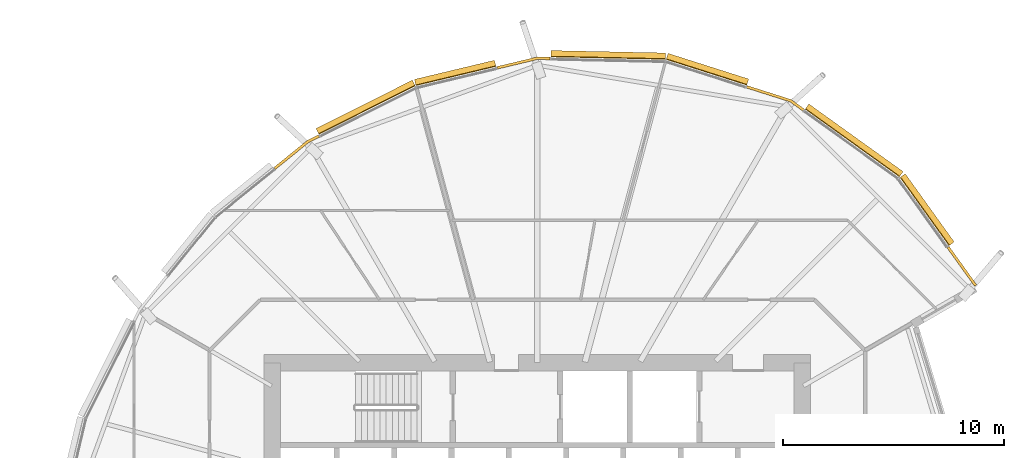
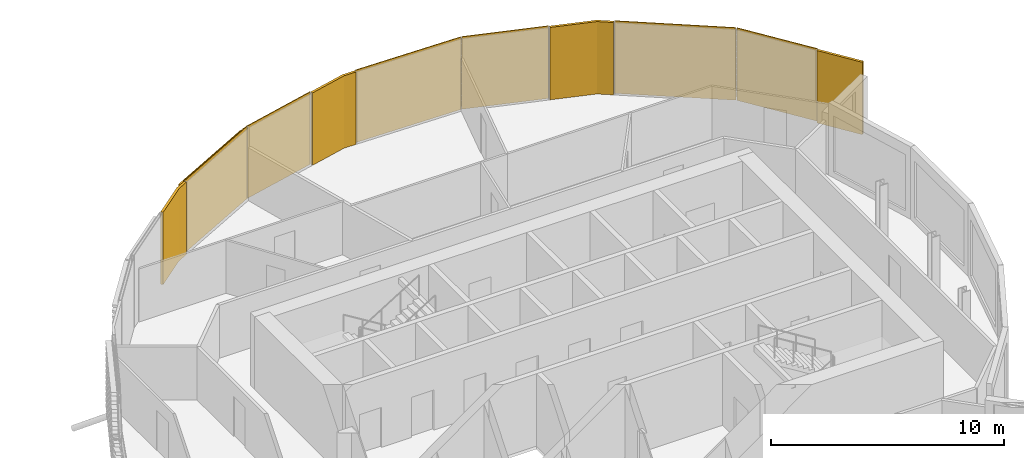
# One storey, part 38 of 38: 10 coverings.
"""IFC4 building model written with IfcOpenShell, lengths in metres."""

from ifc_helpers import new_model, si_unit, direction, frame, origin, place, context, subcontext, project, spatial, polyline, outline, extrude, material, layer, layer_set, material_profile, profile_set, type_object, element, save


model = new_model("IFC4")

# Units and contexts
model_context = context("Model", 3, precision=1e-05, world=origin(), true_north=direction((0.0, 1.0)))
body_context = subcontext(model_context, "Body", "Model", "MODEL_VIEW")
ifc_project = project(units=[si_unit("LENGTHUNIT", "METRE"), si_unit("AREAUNIT", "SQUARE_METRE"), si_unit("VOLUMEUNIT", "CUBIC_METRE"), si_unit("PLANEANGLEUNIT", "RADIAN"), si_unit("MASSUNIT", "GRAM", prefix="KILO")], contexts=[model_context])

# Site, building, storey
site_placement = place(None, origin())
site = spatial("IfcSite", under=ifc_project, at=site_placement, CompositionType="ELEMENT")
building_placement = place(site_placement, origin())
building = spatial("IfcBuilding", under=site, at=building_placement, Name="Rimbun Link Towers", CompositionType="ELEMENT")
storey_placement = place(building_placement, frame((0.0, 0.0, 119.60009765625)))
storey = spatial("IfcBuildingStorey", under=building, at=storey_placement, Name="L29", CompositionType="ELEMENT", Elevation=119.60009765625)

# Coverings
ifc_material_1 = material(Name="Terracotta", Category="masonry")
ifc_layer = layer(ifc_material_1, 0.1201171875)
ifc_layer_set = layer_set([ifc_layer], Name="LINK PIER terracotta cladding 120")
covering_type_1 = type_object("IfcCoveringType", Name="LINK PIER terracotta cladding 120", PredefinedType="CLADDING", material=ifc_layer_set)
covering_1_placement = place(storey_placement, origin())
element("IfcCovering", 1, at=covering_1_placement, inside=storey, type_object=covering_type_1, Name="LINK PIER cladding", PredefinedType="CLADDING", context=body_context, shape_type="SweptSolid", body=[
    extrude(outline(polyline([(41.2158203125, 20.439208984375), (43.1884765625, 19.81201171875), (43.7734375, 19.39208984375), (43.84326171875, 19.48974609375), (43.242919921875, 19.92041015625), (41.252197265625, 20.5537109375), (41.2158203125, 20.439208984375)])), origin(), (0.0, 0.0, 1.0), 3.7998046875),
])
covering_2_placement = place(storey_placement, origin())
element("IfcCovering", 2, at=covering_2_placement, inside=storey, type_object=covering_type_1, Name="LINK PIER cladding", PredefinedType="CLADDING", context=body_context, shape_type="SweptSolid", body=[
    extrude(outline(polyline([(29.931396484375, 21.29541015625), (31.75, 21.730224609375), (32.31982421875, 21.71826171875), (32.322509765625, 21.83837890625), (31.737060546875, 21.8505859375), (29.9033203125, 21.412109375), (29.931396484375, 21.29541015625)])), origin(), (0.0, 0.0, 1.0), 3.7998046875),
])
covering_3_placement = place(storey_placement, origin())
element("IfcCovering", 3, at=covering_3_placement, inside=storey, type_object=covering_type_1, Name="LINK PIER cladding", PredefinedType="CLADDING", context=body_context, shape_type="SweptSolid", body=[
    extrude(outline(polyline([(19.887451171875, 16.753662109375), (21.3798828125, 17.961669921875), (21.88916015625, 18.217529296875), (21.835205078125, 18.32470703125), (21.314453125, 18.063232421875), (19.81201171875, 16.846923828125), (19.887451171875, 16.753662109375)])), origin(), (0.0, 0.0, 1.0), 3.7998046875),
])
covering_4_placement = place(storey_placement, origin())
element("IfcCovering", 4, at=covering_4_placement, inside=storey, type_object=covering_type_1, Name="LINK PIER cladding", PredefinedType="CLADDING", context=body_context, shape_type="SweptSolid", body=[
    extrude(outline(polyline([(50.296875, 13.201416015625), (51.54443359375, 11.462890625), (51.641845703125, 11.53271484375), (50.394287109375, 13.271484375), (50.296875, 13.201416015625)])), origin(), (0.0, 0.0, 1.0), 3.7998046875),
])
ifc_material_2 = material(Name="Terracotta", Category="masonry")
ifc_material_profile = material_profile(ifc_material_2, outline(polyline([(0.123046875, 0.0), (0.1630859375, 0.0), (0.1630859375, 0.10009765625), (0.423095703125, 0.10009765625), (0.423095703125, 0.219970703125), (0.1630859375, 0.219970703125), (0.1630859375, 0.39990234375), (0.423095703125, 0.39990234375), (0.423095703125, 0.52001953125), (0.1630859375, 0.52001953125), (0.1630859375, 0.699951171875), (0.423095703125, 0.699951171875), (0.423095703125, 0.820068359375), (0.1630859375, 0.820068359375), (0.1630859375, 1.0), (0.423095703125, 1.0), (0.423095703125, 1.1201171875), (0.1630859375, 1.1201171875), (0.1630859375, 1.300048828125), (0.423095703125, 1.300048828125), (0.423095703125, 1.419921875), (0.1630859375, 1.419921875), (0.1630859375, 1.60009765625), (0.423095703125, 1.60009765625), (0.423095703125, 1.719970703125), (0.1630859375, 1.719970703125), (0.1630859375, 1.89990234375), (0.423095703125, 1.89990234375), (0.423095703125, 2.02001953125), (0.1630859375, 2.02001953125), (0.1630859375, 2.199951171875), (0.423095703125, 2.199951171875), (0.423095703125, 2.320068359375), (0.1630859375, 2.320068359375), (0.1630859375, 2.5), (0.423095703125, 2.5), (0.423095703125, 2.6201171875), (0.1630859375, 2.6201171875), (0.1630859375, 2.800048828125), (0.423095703125, 2.800048828125), (0.423095703125, 2.919921875), (0.1630859375, 2.919921875), (0.1630859375, 3.10009765625), (0.423095703125, 3.10009765625), (0.423095703125, 3.219970703125), (0.1630859375, 3.219970703125), (0.1630859375, 3.39990234375), (0.423095703125, 3.39990234375), (0.423095703125, 3.52001953125), (0.1630859375, 3.52001953125), (0.1630859375, 3.800048828125), (0.123046875, 3.800048828125), (0.123046875, 0.0)])), Name="BAGUETTE 120X300")
ifc_profile_set = profile_set([ifc_material_profile], Name="Terracotta")
covering_type_2 = type_object("IfcCoveringType", Name="TERRACOTTA BAGUETTE 120X300 H3800", PredefinedType="CLADDING", material=ifc_profile_set)
covering_5_placement = place(storey_placement, frame((43.7978515625, 19.374755859375, 0.0), z_axis=(0.812471696344, -0.583000636912, 0.0), x_axis=(0.583000636912, 0.812471696344, 0.0)))
element("IfcCovering", 5, at=covering_5_placement, inside=storey, type_object=covering_type_2, Name="TERRACOTTA BAGUETTE", PredefinedType="CLADDING", context=body_context, shape_type="SweptSolid", body=[
    extrude(outline(polyline([(0.123046875, 0.0), (0.1630859375, 0.0), (0.1630859375, 0.10009765625), (0.423095703125, 0.10009765625), (0.423095703125, 0.219970703125), (0.1630859375, 0.219970703125), (0.1630859375, 0.39990234375), (0.423095703125, 0.39990234375), (0.423095703125, 0.52001953125), (0.1630859375, 0.52001953125), (0.1630859375, 0.699951171875), (0.423095703125, 0.699951171875), (0.423095703125, 0.820068359375), (0.1630859375, 0.820068359375), (0.1630859375, 1.0), (0.423095703125, 1.0), (0.423095703125, 1.1201171875), (0.1630859375, 1.1201171875), (0.1630859375, 1.300048828125), (0.423095703125, 1.300048828125), (0.423095703125, 1.419921875), (0.1630859375, 1.419921875), (0.1630859375, 1.60009765625), (0.423095703125, 1.60009765625), (0.423095703125, 1.719970703125), (0.1630859375, 1.719970703125), (0.1630859375, 1.89990234375), (0.423095703125, 1.89990234375), (0.423095703125, 2.02001953125), (0.1630859375, 2.02001953125), (0.1630859375, 2.199951171875), (0.423095703125, 2.199951171875), (0.423095703125, 2.320068359375), (0.1630859375, 2.320068359375), (0.1630859375, 2.5), (0.423095703125, 2.5), (0.423095703125, 2.6201171875), (0.1630859375, 2.6201171875), (0.1630859375, 2.800048828125), (0.423095703125, 2.800048828125), (0.423095703125, 2.919921875), (0.1630859375, 2.919921875), (0.1630859375, 3.10009765625), (0.423095703125, 3.10009765625), (0.423095703125, 3.219970703125), (0.1630859375, 3.219970703125), (0.1630859375, 3.39990234375), (0.423095703125, 3.39990234375), (0.423095703125, 3.52001953125), (0.1630859375, 3.52001953125), (0.1630859375, 3.800048828125), (0.123046875, 3.800048828125), (0.123046875, 0.0)])), origin(), (0.0, 0.0, 1.0), 5.25048828125),
])
covering_6_placement = place(storey_placement, frame((37.539794921875, 21.6083984375, 0.0), z_axis=(0.952955932815, -0.303108875016, 0.0), x_axis=(0.303108875016, 0.952955932815, 0.0)))
element("IfcCovering", 6, at=covering_6_placement, inside=storey, type_object=covering_type_2, Name="TERRACOTTA BAGUETTE", PredefinedType="CLADDING", context=body_context, shape_type="SweptSolid", body=[
    extrude(outline(polyline([(0.123046875, 0.0), (0.1630859375, 0.0), (0.1630859375, 0.10009765625), (0.423095703125, 0.10009765625), (0.423095703125, 0.219970703125), (0.1630859375, 0.219970703125), (0.1630859375, 0.39990234375), (0.423095703125, 0.39990234375), (0.423095703125, 0.52001953125), (0.1630859375, 0.52001953125), (0.1630859375, 0.699951171875), (0.423095703125, 0.699951171875), (0.423095703125, 0.820068359375), (0.1630859375, 0.820068359375), (0.1630859375, 1.0), (0.423095703125, 1.0), (0.423095703125, 1.1201171875), (0.1630859375, 1.1201171875), (0.1630859375, 1.300048828125), (0.423095703125, 1.300048828125), (0.423095703125, 1.419921875), (0.1630859375, 1.419921875), (0.1630859375, 1.60009765625), (0.423095703125, 1.60009765625), (0.423095703125, 1.719970703125), (0.1630859375, 1.719970703125), (0.1630859375, 1.89990234375), (0.423095703125, 1.89990234375), (0.423095703125, 2.02001953125), (0.1630859375, 2.02001953125), (0.1630859375, 2.199951171875), (0.423095703125, 2.199951171875), (0.423095703125, 2.320068359375), (0.1630859375, 2.320068359375), (0.1630859375, 2.5), (0.423095703125, 2.5), (0.423095703125, 2.6201171875), (0.1630859375, 2.6201171875), (0.1630859375, 2.800048828125), (0.423095703125, 2.800048828125), (0.423095703125, 2.919921875), (0.1630859375, 2.919921875), (0.1630859375, 3.10009765625), (0.423095703125, 3.10009765625), (0.423095703125, 3.219970703125), (0.1630859375, 3.219970703125), (0.1630859375, 3.39990234375), (0.423095703125, 3.39990234375), (0.423095703125, 3.52001953125), (0.1630859375, 3.52001953125), (0.1630859375, 3.800048828125), (0.123046875, 3.800048828125), (0.123046875, 0.0)])), origin(), (0.0, 0.0, 1.0), 3.82763671875),
])
covering_7_placement = place(storey_placement, frame((32.349853515625, 21.7177734375, 0.0), z_axis=(0.999778008373, -0.021069740698, 0.0), x_axis=(0.021069740698, 0.999778008373, 0.0)))
element("IfcCovering", 7, at=covering_7_placement, inside=storey, type_object=covering_type_2, Name="TERRACOTTA BAGUETTE", PredefinedType="CLADDING", context=body_context, shape_type="SweptSolid", body=[
    extrude(outline(polyline([(0.123046875, 0.0), (0.1630859375, 0.0), (0.1630859375, 0.10009765625), (0.423095703125, 0.10009765625), (0.423095703125, 0.219970703125), (0.1630859375, 0.219970703125), (0.1630859375, 0.39990234375), (0.423095703125, 0.39990234375), (0.423095703125, 0.52001953125), (0.1630859375, 0.52001953125), (0.1630859375, 0.699951171875), (0.423095703125, 0.699951171875), (0.423095703125, 0.820068359375), (0.1630859375, 0.820068359375), (0.1630859375, 1.0), (0.423095703125, 1.0), (0.423095703125, 1.1201171875), (0.1630859375, 1.1201171875), (0.1630859375, 1.300048828125), (0.423095703125, 1.300048828125), (0.423095703125, 1.419921875), (0.1630859375, 1.419921875), (0.1630859375, 1.60009765625), (0.423095703125, 1.60009765625), (0.423095703125, 1.719970703125), (0.1630859375, 1.719970703125), (0.1630859375, 1.89990234375), (0.423095703125, 1.89990234375), (0.423095703125, 2.02001953125), (0.1630859375, 2.02001953125), (0.1630859375, 2.199951171875), (0.423095703125, 2.199951171875), (0.423095703125, 2.320068359375), (0.1630859375, 2.320068359375), (0.1630859375, 2.5), (0.423095703125, 2.5), (0.423095703125, 2.6201171875), (0.1630859375, 2.6201171875), (0.1630859375, 2.800048828125), (0.423095703125, 2.800048828125), (0.423095703125, 2.919921875), (0.1630859375, 2.919921875), (0.1630859375, 3.10009765625), (0.423095703125, 3.10009765625), (0.423095703125, 3.219970703125), (0.1630859375, 3.219970703125), (0.1630859375, 3.39990234375), (0.423095703125, 3.39990234375), (0.423095703125, 3.52001953125), (0.1630859375, 3.52001953125), (0.1630859375, 3.800048828125), (0.123046875, 3.800048828125), (0.123046875, 0.0)])), origin(), (0.0, 0.0, 1.0), 5.191162109375),
])
covering_8_placement = place(storey_placement, frame((26.278076171875, 20.421630859375, 0.0), z_axis=(0.972573736539, 0.232594769921, 0.0), x_axis=(-0.232594769921, 0.972573736539, 0.0)))
element("IfcCovering", 8, at=covering_8_placement, inside=storey, type_object=covering_type_2, Name="TERRACOTTA BAGUETTE", PredefinedType="CLADDING", context=body_context, shape_type="SweptSolid", body=[
    extrude(outline(polyline([(0.123046875, 0.0), (0.1630859375, 0.0), (0.1630859375, 0.10009765625), (0.423095703125, 0.10009765625), (0.423095703125, 0.219970703125), (0.1630859375, 0.219970703125), (0.1630859375, 0.39990234375), (0.423095703125, 0.39990234375), (0.423095703125, 0.52001953125), (0.1630859375, 0.52001953125), (0.1630859375, 0.699951171875), (0.423095703125, 0.699951171875), (0.423095703125, 0.820068359375), (0.1630859375, 0.820068359375), (0.1630859375, 1.0), (0.423095703125, 1.0), (0.423095703125, 1.1201171875), (0.1630859375, 1.1201171875), (0.1630859375, 1.300048828125), (0.423095703125, 1.300048828125), (0.423095703125, 1.419921875), (0.1630859375, 1.419921875), (0.1630859375, 1.60009765625), (0.423095703125, 1.60009765625), (0.423095703125, 1.719970703125), (0.1630859375, 1.719970703125), (0.1630859375, 1.89990234375), (0.423095703125, 1.89990234375), (0.423095703125, 2.02001953125), (0.1630859375, 2.02001953125), (0.1630859375, 2.199951171875), (0.423095703125, 2.199951171875), (0.423095703125, 2.320068359375), (0.1630859375, 2.320068359375), (0.1630859375, 2.5), (0.423095703125, 2.5), (0.423095703125, 2.6201171875), (0.1630859375, 2.6201171875), (0.1630859375, 2.800048828125), (0.423095703125, 2.800048828125), (0.423095703125, 2.919921875), (0.1630859375, 2.919921875), (0.1630859375, 3.10009765625), (0.423095703125, 3.10009765625), (0.423095703125, 3.219970703125), (0.1630859375, 3.219970703125), (0.1630859375, 3.39990234375), (0.423095703125, 3.39990234375), (0.423095703125, 3.52001953125), (0.1630859375, 3.52001953125), (0.1630859375, 3.800048828125), (0.123046875, 3.800048828125), (0.123046875, 0.0)])), origin(), (0.0, 0.0, 1.0), 3.726318359375),
])
covering_9_placement = place(storey_placement, frame((21.916015625, 18.23095703125, 0.0), z_axis=(0.893635542068, 0.448793402305, 0.0), x_axis=(-0.448793402305, 0.893635542068, 0.0)))
element("IfcCovering", 9, at=covering_9_placement, inside=storey, type_object=covering_type_2, Name="TERRACOTTA BAGUETTE", PredefinedType="CLADDING", context=body_context, shape_type="SweptSolid", body=[
    extrude(outline(polyline([(0.123046875, 0.0), (0.1630859375, 0.0), (0.1630859375, 0.10009765625), (0.423095703125, 0.10009765625), (0.423095703125, 0.219970703125), (0.1630859375, 0.219970703125), (0.1630859375, 0.39990234375), (0.423095703125, 0.39990234375), (0.423095703125, 0.52001953125), (0.1630859375, 0.52001953125), (0.1630859375, 0.699951171875), (0.423095703125, 0.699951171875), (0.423095703125, 0.820068359375), (0.1630859375, 0.820068359375), (0.1630859375, 1.0), (0.423095703125, 1.0), (0.423095703125, 1.1201171875), (0.1630859375, 1.1201171875), (0.1630859375, 1.300048828125), (0.423095703125, 1.300048828125), (0.423095703125, 1.419921875), (0.1630859375, 1.419921875), (0.1630859375, 1.60009765625), (0.423095703125, 1.60009765625), (0.423095703125, 1.719970703125), (0.1630859375, 1.719970703125), (0.1630859375, 1.89990234375), (0.423095703125, 1.89990234375), (0.423095703125, 2.02001953125), (0.1630859375, 2.02001953125), (0.1630859375, 2.199951171875), (0.423095703125, 2.199951171875), (0.423095703125, 2.320068359375), (0.1630859375, 2.320068359375), (0.1630859375, 2.5), (0.423095703125, 2.5), (0.423095703125, 2.6201171875), (0.1630859375, 2.6201171875), (0.1630859375, 2.800048828125), (0.423095703125, 2.800048828125), (0.423095703125, 2.919921875), (0.1630859375, 2.919921875), (0.1630859375, 3.10009765625), (0.423095703125, 3.10009765625), (0.423095703125, 3.219970703125), (0.1630859375, 3.219970703125), (0.1630859375, 3.39990234375), (0.423095703125, 3.39990234375), (0.423095703125, 3.52001953125), (0.1630859375, 3.52001953125), (0.1630859375, 3.800048828125), (0.123046875, 3.800048828125), (0.123046875, 0.0)])), origin(), (0.0, 0.0, 1.0), 4.88134765625),
])
covering_10_placement = place(storey_placement, frame((48.063720703125, 16.313720703125, 0.0), z_axis=(0.582968725467, -0.812494593907, 0.0), x_axis=(0.812494593907, 0.582968725467, 0.0)))
element("IfcCovering", 10, at=covering_10_placement, inside=storey, type_object=covering_type_2, Name="TERRACOTTA BAGUETTE", PredefinedType="CLADDING", context=body_context, shape_type="SweptSolid", body=[
    extrude(outline(polyline([(0.123046875, 0.0), (0.1630859375, 0.0), (0.1630859375, 0.10009765625), (0.423095703125, 0.10009765625), (0.423095703125, 0.219970703125), (0.1630859375, 0.219970703125), (0.1630859375, 0.39990234375), (0.423095703125, 0.39990234375), (0.423095703125, 0.52001953125), (0.1630859375, 0.52001953125), (0.1630859375, 0.699951171875), (0.423095703125, 0.699951171875), (0.423095703125, 0.820068359375), (0.1630859375, 0.820068359375), (0.1630859375, 1.0), (0.423095703125, 1.0), (0.423095703125, 1.1201171875), (0.1630859375, 1.1201171875), (0.1630859375, 1.300048828125), (0.423095703125, 1.300048828125), (0.423095703125, 1.419921875), (0.1630859375, 1.419921875), (0.1630859375, 1.60009765625), (0.423095703125, 1.60009765625), (0.423095703125, 1.719970703125), (0.1630859375, 1.719970703125), (0.1630859375, 1.89990234375), (0.423095703125, 1.89990234375), (0.423095703125, 2.02001953125), (0.1630859375, 2.02001953125), (0.1630859375, 2.199951171875), (0.423095703125, 2.199951171875), (0.423095703125, 2.320068359375), (0.1630859375, 2.320068359375), (0.1630859375, 2.5), (0.423095703125, 2.5), (0.423095703125, 2.6201171875), (0.1630859375, 2.6201171875), (0.1630859375, 2.800048828125), (0.423095703125, 2.800048828125), (0.423095703125, 2.919921875), (0.1630859375, 2.919921875), (0.1630859375, 3.10009765625), (0.423095703125, 3.10009765625), (0.423095703125, 3.219970703125), (0.1630859375, 3.219970703125), (0.1630859375, 3.39990234375), (0.423095703125, 3.39990234375), (0.423095703125, 3.52001953125), (0.1630859375, 3.52001953125), (0.1630859375, 3.800048828125), (0.123046875, 3.800048828125), (0.123046875, 0.0)])), origin(), (0.0, 0.0, 1.0), 3.800537109375),
])

save(model, "model.ifc")
